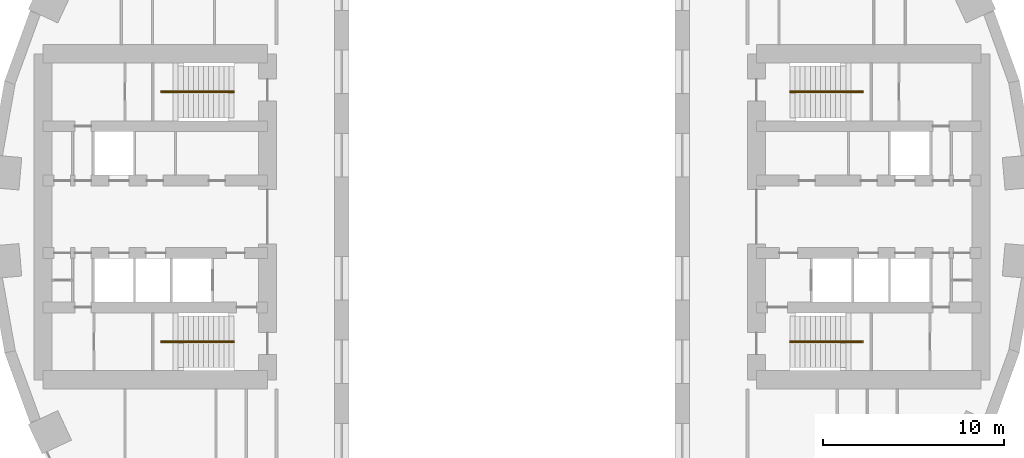
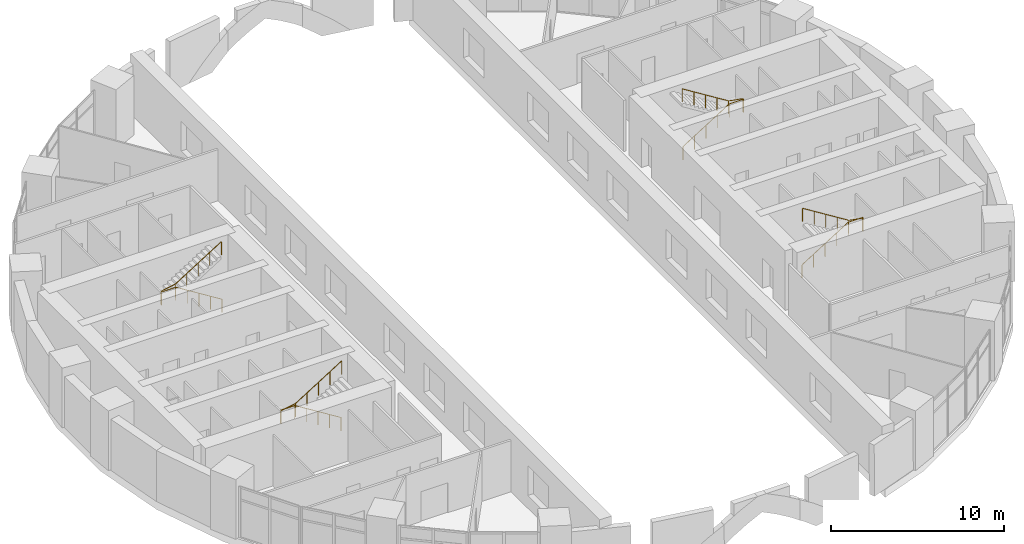
# One storey, part 15 of 15: 4 railings.
"""IFC4 building model written with IfcOpenShell, lengths in metres."""

from ifc_helpers import new_model, si_unit, direction, frame, origin, origin_2d, place, context, subcontext, project, spatial, circle, extrude, material, type_object, element, save


model = new_model("IFC4")

# Units and contexts
model_context = context("Model", 3, precision=1e-05, world=origin(), true_north=direction((0.0, 1.0)))
body_context = subcontext(model_context, "Body", "Model", "MODEL_VIEW")
ifc_project = project(units=[si_unit("LENGTHUNIT", "METRE"), si_unit("AREAUNIT", "SQUARE_METRE"), si_unit("VOLUMEUNIT", "CUBIC_METRE"), si_unit("PLANEANGLEUNIT", "RADIAN"), si_unit("MASSUNIT", "GRAM", prefix="KILO")], contexts=[model_context])

# Site, building, storey
site_placement = place(None, origin())
site = spatial("IfcSite", under=ifc_project, at=site_placement, CompositionType="ELEMENT")
building_placement = place(site_placement, origin())
building = spatial("IfcBuilding", under=site, at=building_placement, Name="Saqina Gate Tower", CompositionType="ELEMENT")
storey_placement = place(building_placement, frame((0.0, 0.0, 17.60009765625)))
storey = spatial("IfcBuildingStorey", under=building, at=storey_placement, Name="L04", CompositionType="ELEMENT", Elevation=17.60009765625)

# Railings
ifc_material = material(Name="Stainless steel", Category="steel")
railing_type = type_object("IfcRailingType", Name="STAIR HANDRAIL", PredefinedType="HANDRAIL", material=ifc_material)
railing_1_placement = place(storey_placement, frame((15.35009765625, 6.86669921875, 0.1748046875)))
element("IfcRailing", 1, at=railing_1_placement, inside=storey, type_object=railing_type, Name="EXIT STAIR 1 HANDRAIL", PredefinedType="HANDRAIL", context=body_context, shape_type="SweptSolid", body=[
    extrude(circle(Radius=0.02392578125, at=origin_2d()), frame((0.0, 0.0, 0.92578125), z_axis=(0.847979421464, 0.0, 0.530029150871), x_axis=(0.0, 1.0, 0.0)), (0.0, 0.0, 1.0), 3.632080078125),
    extrude(circle(Radius=0.02392578125, at=origin_2d()), frame((3.079833984375, 0.0, 2.85107421875), z_axis=(1.0, 0.0, 0.0), x_axis=(0.0, 1.0, 0.0)), (0.0, 0.0, 1.0), 0.949951171875),
    extrude(circle(Radius=0.02392578125, at=origin_2d()), frame((4.02978515625, 0.0, 2.85107421875), z_axis=(0.0, 1.0, 0.0), x_axis=(-1.0, 0.0, 0.0)), (0.0, 0.0, 1.0), 0.066650390625),
    extrude(circle(Radius=0.02392578125, at=origin_2d()), frame((4.02978515625, 0.066650390625, 2.85107421875), z_axis=(-0.983442521697, 0.0, 0.181220325895), x_axis=(0.0, -1.0, 0.0)), (0.0, 0.0, 1.0), 0.966064453125),
    extrude(circle(Radius=0.02392578125, at=origin_2d()), frame((3.079833984375, 0.066650390625, 3.02587890625), z_axis=(-0.847979421464, 0.0, 0.530029150871), x_axis=(0.0, -1.0, 0.0)), (0.0, 0.0, 1.0), 3.632080078125),
    extrude(circle(Radius=0.02099609375, at=origin_2d()), origin(), (0.0, 0.0, 1.0), 0.90185546875),
    extrude(circle(Radius=0.02099609375, at=origin_2d()), frame((0.77001953125, 0.0, 0.481201171875)), (0.0, 0.0, 1.0), 0.90185546875),
    extrude(circle(Radius=0.02099609375, at=origin_2d()), frame((1.5400390625, 0.0, 0.96240234375)), (0.0, 0.0, 1.0), 0.90185546875),
    extrude(circle(Radius=0.02099609375, at=origin_2d()), frame((2.309814453125, 0.0, 1.44384765625)), (0.0, 0.0, 1.0), 0.90185546875),
    extrude(circle(Radius=0.02099609375, at=origin_2d()), frame((3.079833984375, 0.0, 1.925048828125)), (0.0, 0.0, 1.0), 0.90185546875),
    extrude(circle(Radius=0.02099609375, at=origin_2d()), frame((4.02978515625, 0.0, 1.925048828125)), (0.0, 0.0, 1.0), 0.90185546875),
    extrude(circle(Radius=0.02099609375, at=origin_2d()), frame((4.02978515625, 0.066650390625, 1.925048828125)), (0.0, 0.0, 1.0), 0.90185546875),
    extrude(circle(Radius=0.02099609375, at=origin_2d()), frame((3.079833984375, 0.066650390625, 2.10009765625)), (0.0, 0.0, 1.0), 0.90185546875),
    extrude(circle(Radius=0.02099609375, at=origin_2d()), frame((2.309814453125, 0.066650390625, 2.581298828125)), (0.0, 0.0, 1.0), 0.90185546875),
    extrude(circle(Radius=0.02099609375, at=origin_2d()), frame((1.5400390625, 0.066650390625, 3.0625)), (0.0, 0.0, 1.0), 0.90185546875),
    extrude(circle(Radius=0.02099609375, at=origin_2d()), frame((0.77001953125, 0.066650390625, 3.5439453125)), (0.0, 0.0, 1.0), 0.90185546875),
    extrude(circle(Radius=0.02099609375, at=origin_2d()), frame((0.0, 0.066650390625, 4.025146484375)), (0.0, 0.0, 1.0), 0.90185546875),
])
railing_2_placement = place(storey_placement, frame((15.35009765625, -6.86669921875, 0.1748046875)))
element("IfcRailing", 2, at=railing_2_placement, inside=storey, type_object=railing_type, Name="EXIT STAIR 2 HANDRAIL", PredefinedType="HANDRAIL", context=body_context, shape_type="SweptSolid", body=[
    extrude(circle(Radius=0.02392578125, at=origin_2d()), frame((0.0, 0.0, 0.92578125), z_axis=(0.847979421464, 0.0, 0.530029150871), x_axis=(0.0, 1.0, 0.0)), (0.0, 0.0, 1.0), 3.632080078125),
    extrude(circle(Radius=0.02392578125, at=origin_2d()), frame((3.079833984375, 0.0, 2.85107421875), z_axis=(1.0, 0.0, 0.0), x_axis=(0.0, 1.0, 0.0)), (0.0, 0.0, 1.0), 0.949951171875),
    extrude(circle(Radius=0.02392578125, at=origin_2d()), frame((4.02978515625, 0.0, 2.85107421875), z_axis=(0.0, -1.0, 0.0), x_axis=(1.0, 0.0, 0.0)), (0.0, 0.0, 1.0), 0.066650390625),
    extrude(circle(Radius=0.02392578125, at=origin_2d()), frame((4.02978515625, -0.066650390625, 2.85107421875), z_axis=(-0.983442521697, 0.0, 0.181220325895), x_axis=(0.0, -1.0, 0.0)), (0.0, 0.0, 1.0), 0.966064453125),
    extrude(circle(Radius=0.02392578125, at=origin_2d()), frame((3.079833984375, -0.066650390625, 3.02587890625), z_axis=(-0.847979421464, 0.0, 0.530029150871), x_axis=(0.0, -1.0, 0.0)), (0.0, 0.0, 1.0), 3.632080078125),
    extrude(circle(Radius=0.02099609375, at=origin_2d()), origin(), (0.0, 0.0, 1.0), 0.90185546875),
    extrude(circle(Radius=0.02099609375, at=origin_2d()), frame((0.77001953125, 0.0, 0.481201171875)), (0.0, 0.0, 1.0), 0.90185546875),
    extrude(circle(Radius=0.02099609375, at=origin_2d()), frame((1.5400390625, 0.0, 0.96240234375)), (0.0, 0.0, 1.0), 0.90185546875),
    extrude(circle(Radius=0.02099609375, at=origin_2d()), frame((2.309814453125, 0.0, 1.44384765625)), (0.0, 0.0, 1.0), 0.90185546875),
    extrude(circle(Radius=0.02099609375, at=origin_2d()), frame((3.079833984375, 0.0, 1.925048828125)), (0.0, 0.0, 1.0), 0.90185546875),
    extrude(circle(Radius=0.02099609375, at=origin_2d()), frame((4.02978515625, 0.0, 1.925048828125)), (0.0, 0.0, 1.0), 0.90185546875),
    extrude(circle(Radius=0.02099609375, at=origin_2d()), frame((4.02978515625, -0.066650390625, 1.925048828125)), (0.0, 0.0, 1.0), 0.90185546875),
    extrude(circle(Radius=0.02099609375, at=origin_2d()), frame((3.079833984375, -0.066650390625, 2.10009765625)), (0.0, 0.0, 1.0), 0.90185546875),
    extrude(circle(Radius=0.02099609375, at=origin_2d()), frame((2.309814453125, -0.066650390625, 2.581298828125)), (0.0, 0.0, 1.0), 0.90185546875),
    extrude(circle(Radius=0.02099609375, at=origin_2d()), frame((1.5400390625, -0.066650390625, 3.0625)), (0.0, 0.0, 1.0), 0.90185546875),
    extrude(circle(Radius=0.02099609375, at=origin_2d()), frame((0.77001953125, -0.066650390625, 3.5439453125)), (0.0, 0.0, 1.0), 0.90185546875),
    extrude(circle(Radius=0.02099609375, at=origin_2d()), frame((0.0, -0.066650390625, 4.025146484375)), (0.0, 0.0, 1.0), 0.90185546875),
])
railing_3_placement = place(storey_placement, frame((-15.35009765625, 6.86669921875, 0.1748046875)))
element("IfcRailing", 3, at=railing_3_placement, inside=storey, type_object=railing_type, Name="EXIT STAIR 3 HANDRAIL", PredefinedType="HANDRAIL", context=body_context, shape_type="SweptSolid", body=[
    extrude(circle(Radius=0.02392578125, at=origin_2d()), frame((0.0, 0.0, 0.92578125), z_axis=(-0.847979421464, 0.0, 0.530029150871), x_axis=(0.0, -1.0, 0.0)), (0.0, 0.0, 1.0), 3.632080078125),
    extrude(circle(Radius=0.02392578125, at=origin_2d()), frame((-3.079833984375, 0.0, 2.85107421875), z_axis=(-1.0, 0.0, 0.0), x_axis=(0.0, -1.0, 0.0)), (0.0, 0.0, 1.0), 0.949951171875),
    extrude(circle(Radius=0.02392578125, at=origin_2d()), frame((-4.02978515625, 0.0, 2.85107421875), z_axis=(0.0, 1.0, 0.0), x_axis=(-1.0, 0.0, 0.0)), (0.0, 0.0, 1.0), 0.066650390625),
    extrude(circle(Radius=0.02392578125, at=origin_2d()), frame((-4.02978515625, 0.066650390625, 2.85107421875), z_axis=(0.983442521697, 0.0, 0.181220325895), x_axis=(0.0, 1.0, 0.0)), (0.0, 0.0, 1.0), 0.966064453125),
    extrude(circle(Radius=0.02392578125, at=origin_2d()), frame((-3.079833984375, 0.066650390625, 3.02587890625), z_axis=(0.847979421464, 0.0, 0.530029150871), x_axis=(0.0, 1.0, 0.0)), (0.0, 0.0, 1.0), 3.632080078125),
    extrude(circle(Radius=0.02099609375, at=origin_2d()), origin(), (0.0, 0.0, 1.0), 0.90185546875),
    extrude(circle(Radius=0.02099609375, at=origin_2d()), frame((-0.77001953125, 0.0, 0.481201171875)), (0.0, 0.0, 1.0), 0.90185546875),
    extrude(circle(Radius=0.02099609375, at=origin_2d()), frame((-1.5400390625, 0.0, 0.96240234375)), (0.0, 0.0, 1.0), 0.90185546875),
    extrude(circle(Radius=0.02099609375, at=origin_2d()), frame((-2.309814453125, 0.0, 1.44384765625)), (0.0, 0.0, 1.0), 0.90185546875),
    extrude(circle(Radius=0.02099609375, at=origin_2d()), frame((-3.079833984375, 0.0, 1.925048828125)), (0.0, 0.0, 1.0), 0.90185546875),
    extrude(circle(Radius=0.02099609375, at=origin_2d()), frame((-4.02978515625, 0.0, 1.925048828125)), (0.0, 0.0, 1.0), 0.90185546875),
    extrude(circle(Radius=0.02099609375, at=origin_2d()), frame((-4.02978515625, 0.066650390625, 1.925048828125)), (0.0, 0.0, 1.0), 0.90185546875),
    extrude(circle(Radius=0.02099609375, at=origin_2d()), frame((-3.079833984375, 0.066650390625, 2.10009765625)), (0.0, 0.0, 1.0), 0.90185546875),
    extrude(circle(Radius=0.02099609375, at=origin_2d()), frame((-2.309814453125, 0.066650390625, 2.581298828125)), (0.0, 0.0, 1.0), 0.90185546875),
    extrude(circle(Radius=0.02099609375, at=origin_2d()), frame((-1.5400390625, 0.066650390625, 3.0625)), (0.0, 0.0, 1.0), 0.90185546875),
    extrude(circle(Radius=0.02099609375, at=origin_2d()), frame((-0.77001953125, 0.066650390625, 3.5439453125)), (0.0, 0.0, 1.0), 0.90185546875),
    extrude(circle(Radius=0.02099609375, at=origin_2d()), frame((0.0, 0.066650390625, 4.025146484375)), (0.0, 0.0, 1.0), 0.90185546875),
])
railing_4_placement = place(storey_placement, frame((-15.35009765625, -6.86669921875, 0.1748046875)))
element("IfcRailing", 4, at=railing_4_placement, inside=storey, type_object=railing_type, Name="EXIT STAIR 4 HANDRAIL", PredefinedType="HANDRAIL", context=body_context, shape_type="SweptSolid", body=[
    extrude(circle(Radius=0.02392578125, at=origin_2d()), frame((0.0, 0.0, 0.92578125), z_axis=(-0.847979421464, 0.0, 0.530029150871), x_axis=(0.0, -1.0, 0.0)), (0.0, 0.0, 1.0), 3.632080078125),
    extrude(circle(Radius=0.02392578125, at=origin_2d()), frame((-3.079833984375, 0.0, 2.85107421875), z_axis=(-1.0, 0.0, 0.0), x_axis=(0.0, -1.0, 0.0)), (0.0, 0.0, 1.0), 0.949951171875),
    extrude(circle(Radius=0.02392578125, at=origin_2d()), frame((-4.02978515625, 0.0, 2.85107421875), z_axis=(0.0, -1.0, 0.0), x_axis=(1.0, 0.0, 0.0)), (0.0, 0.0, 1.0), 0.066650390625),
    extrude(circle(Radius=0.02392578125, at=origin_2d()), frame((-4.02978515625, -0.066650390625, 2.85107421875), z_axis=(0.983442521697, 0.0, 0.181220325895), x_axis=(0.0, 1.0, 0.0)), (0.0, 0.0, 1.0), 0.966064453125),
    extrude(circle(Radius=0.02392578125, at=origin_2d()), frame((-3.079833984375, -0.066650390625, 3.02587890625), z_axis=(0.847979421464, 0.0, 0.530029150871), x_axis=(0.0, 1.0, 0.0)), (0.0, 0.0, 1.0), 3.632080078125),
    extrude(circle(Radius=0.02099609375, at=origin_2d()), origin(), (0.0, 0.0, 1.0), 0.90185546875),
    extrude(circle(Radius=0.02099609375, at=origin_2d()), frame((-0.77001953125, 0.0, 0.481201171875)), (0.0, 0.0, 1.0), 0.90185546875),
    extrude(circle(Radius=0.02099609375, at=origin_2d()), frame((-1.5400390625, 0.0, 0.96240234375)), (0.0, 0.0, 1.0), 0.90185546875),
    extrude(circle(Radius=0.02099609375, at=origin_2d()), frame((-2.309814453125, 0.0, 1.44384765625)), (0.0, 0.0, 1.0), 0.90185546875),
    extrude(circle(Radius=0.02099609375, at=origin_2d()), frame((-3.079833984375, 0.0, 1.925048828125)), (0.0, 0.0, 1.0), 0.90185546875),
    extrude(circle(Radius=0.02099609375, at=origin_2d()), frame((-4.02978515625, 0.0, 1.925048828125)), (0.0, 0.0, 1.0), 0.90185546875),
    extrude(circle(Radius=0.02099609375, at=origin_2d()), frame((-4.02978515625, -0.066650390625, 1.925048828125)), (0.0, 0.0, 1.0), 0.90185546875),
    extrude(circle(Radius=0.02099609375, at=origin_2d()), frame((-3.079833984375, -0.066650390625, 2.10009765625)), (0.0, 0.0, 1.0), 0.90185546875),
    extrude(circle(Radius=0.02099609375, at=origin_2d()), frame((-2.309814453125, -0.066650390625, 2.581298828125)), (0.0, 0.0, 1.0), 0.90185546875),
    extrude(circle(Radius=0.02099609375, at=origin_2d()), frame((-1.5400390625, -0.066650390625, 3.0625)), (0.0, 0.0, 1.0), 0.90185546875),
    extrude(circle(Radius=0.02099609375, at=origin_2d()), frame((-0.77001953125, -0.066650390625, 3.5439453125)), (0.0, 0.0, 1.0), 0.90185546875),
    extrude(circle(Radius=0.02099609375, at=origin_2d()), frame((0.0, -0.066650390625, 4.025146484375)), (0.0, 0.0, 1.0), 0.90185546875),
])

save(model, "model.ifc")
